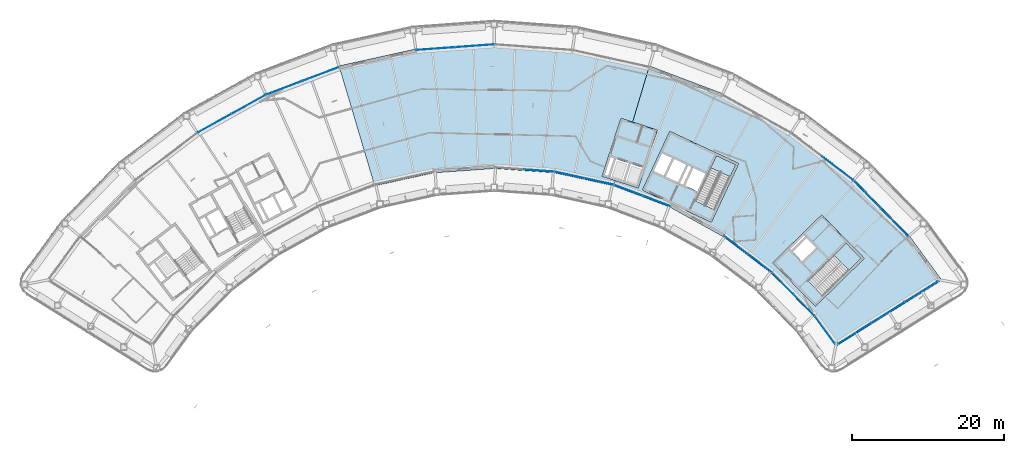
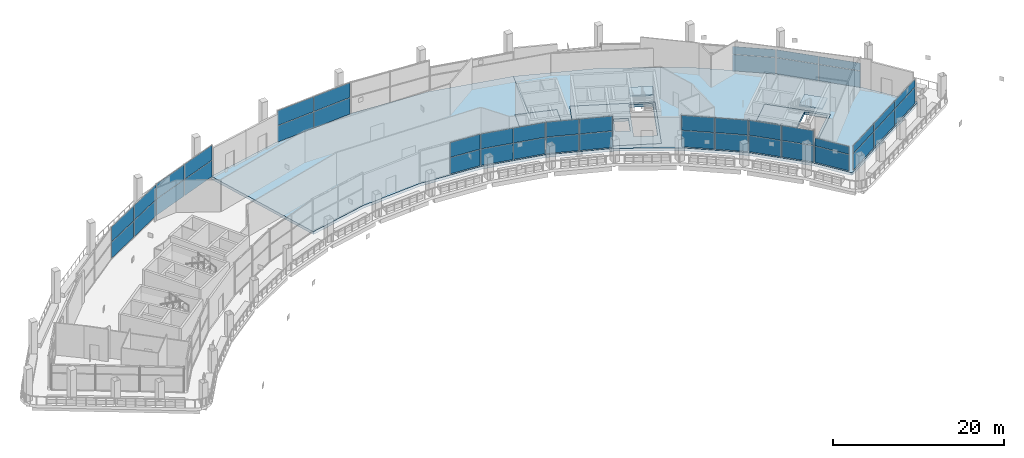
# One storey, part 14 of 29: 44 plates, 7 slabs, 14 elements without a shape of their own.
"""IFC4 building model written with IfcOpenShell, lengths in metres."""

from ifc_helpers import new_model, si_unit, direction, frame, origin, origin_2d, place, context, subcontext, project, spatial, polyline, rectangle, outline, extrude, material, layer, layer_set, type_object, element, aggregate, save


model = new_model("IFC4")

# Units and contexts
model_context = context("Model", 3, precision=1e-05, world=origin(), true_north=direction((0.0, 1.0)))
body_context = subcontext(model_context, "Body", "Model", "MODEL_VIEW")
ifc_project = project(units=[si_unit("LENGTHUNIT", "METRE"), si_unit("AREAUNIT", "SQUARE_METRE"), si_unit("VOLUMEUNIT", "CUBIC_METRE"), si_unit("PLANEANGLEUNIT", "RADIAN"), si_unit("MASSUNIT", "GRAM", prefix="KILO")], contexts=[model_context])

# Site, building, storey
site_placement = place(None, origin())
site = spatial("IfcSite", under=ifc_project, at=site_placement, CompositionType="ELEMENT")
building_placement = place(site_placement, origin())
building = spatial("IfcBuilding", under=site, at=building_placement, Name="Tuul Gate Civic Tower", CompositionType="ELEMENT")
storey_placement = place(building_placement, frame((0.0, 0.0, 238.89990234375)))
storey = spatial("IfcBuildingStorey", under=building, at=storey_placement, Name="Sky garden level 2", CompositionType="ELEMENT", Elevation=238.89990234375)

# Curtain wall, plates
ifc_material_1 = material(Name="Aluminium", Category="aluminium")
ifc_layer_1 = layer(ifc_material_1, 0.199951171875)
ifc_layer_set_1 = layer_set([ifc_layer_1], Name="Aluminium")
curtain_wall_type_1 = type_object("IfcCurtainWallType", Name="Curtain wall CW3", PredefinedType="NOTDEFINED", material=ifc_layer_set_1)
curtain_wall_1_placement = place(storey_placement, origin())
curtain_wall_1 = element("IfcCurtainWall", 1, at=curtain_wall_1_placement, inside=storey, type_object=curtain_wall_type_1, Name="Curtain wall CW3", PredefinedType="NOTDEFINED")
ifc_material_2 = material(Name="Insulated glass", Category="glass")
ifc_layer_2 = layer(ifc_material_2, 0.031982421875)
ifc_layer_set_2 = layer_set([ifc_layer_2], Name="Insulated glass")
plate_type_1 = type_object("IfcPlateType", Name="CW3 panel", PredefinedType="CURTAIN_PANEL", material=ifc_layer_set_2)
plate_1_placement = place(storey_placement, frame((3.3564453125, 15.771728515625, 0.06005859375), z_axis=(0.0, 0.0, 1.0), x_axis=(-0.997381245118, -0.072323245822, 0.0)))
plate_1 = element("IfcPlate", 2, at=plate_1_placement, type_object=plate_type_1, Name="Panel", PredefinedType="CURTAIN_PANEL", context=body_context, shape_type="SweptSolid", body=[
    extrude(rectangle(XDim=5.060546875, YDim=0.031982421875, at=origin_2d()), origin(), (0.0, 0.0, 1.0), 2.31005859375),
])
plate_2_placement = place(storey_placement, frame((3.3564453125, 15.771728515625, 2.43017578125), z_axis=(0.0, 0.0, 1.0), x_axis=(-0.997381245118, -0.072323245822, 0.0)))
plate_2 = element("IfcPlate", 3, at=plate_2_placement, type_object=plate_type_1, Name="Panel", PredefinedType="CURTAIN_PANEL", context=body_context, shape_type="SweptSolid", body=[
    extrude(rectangle(XDim=5.060546875, YDim=0.031982421875, at=origin_2d()), origin(), (0.0, 0.0, 1.0), 2.110107421875),
])
plate_3_placement = place(storey_placement, frame((-1.75048828125, 15.4013671875, 0.06005859375), z_axis=(0.0, 0.0, 1.0), x_axis=(-0.997381245118, -0.072323245822, 0.0)))
plate_3 = element("IfcPlate", 4, at=plate_3_placement, type_object=plate_type_1, Name="Panel", PredefinedType="CURTAIN_PANEL", context=body_context, shape_type="SweptSolid", body=[
    extrude(rectangle(XDim=5.060546875, YDim=0.031982421875, at=origin_2d()), origin(), (0.0, 0.0, 1.0), 2.31005859375),
])
plate_4_placement = place(storey_placement, frame((-1.75048828125, 15.4013671875, 2.43017578125), z_axis=(0.0, 0.0, 1.0), x_axis=(-0.997381245118, -0.072323245822, 0.0)))
plate_4 = element("IfcPlate", 5, at=plate_4_placement, type_object=plate_type_1, Name="Panel", PredefinedType="CURTAIN_PANEL", context=body_context, shape_type="SweptSolid", body=[
    extrude(rectangle(XDim=5.060546875, YDim=0.031982421875, at=origin_2d()), origin(), (0.0, 0.0, 1.0), 2.110107421875),
])
aggregate(curtain_wall_1, [plate_1, plate_2, plate_3, plate_4])

curtain_wall_2_placement = place(storey_placement, origin())
curtain_wall_2 = element("IfcCurtainWall", 6, at=curtain_wall_2_placement, inside=storey, type_object=curtain_wall_type_1, Name="Curtain wall CW3", PredefinedType="NOTDEFINED")
plate_5_placement = place(storey_placement, frame((-16.815673828125, 12.0810546875, 0.06005859375), z_axis=(0.0, 0.0, 1.0), x_axis=(-0.935372206722, -0.353664862395, 0.0)))
plate_5 = element("IfcPlate", 7, at=plate_5_placement, type_object=plate_type_1, Name="Panel", PredefinedType="CURTAIN_PANEL", context=body_context, shape_type="SweptSolid", body=[
    extrude(rectangle(XDim=5.060302734375, YDim=0.031982421875, at=origin_2d()), origin(), (0.0, 0.0, 1.0), 2.31005859375),
])
plate_6_placement = place(storey_placement, frame((-16.815673828125, 12.0810546875, 2.43017578125), z_axis=(0.0, 0.0, 1.0), x_axis=(-0.935372206722, -0.353664862395, 0.0)))
plate_6 = element("IfcPlate", 8, at=plate_6_placement, type_object=plate_type_1, Name="Panel", PredefinedType="CURTAIN_PANEL", context=body_context, shape_type="SweptSolid", body=[
    extrude(rectangle(XDim=5.060302734375, YDim=0.031982421875, at=origin_2d()), origin(), (0.0, 0.0, 1.0), 2.110107421875),
])
plate_7_placement = place(storey_placement, frame((-21.605224609375, 10.27001953125, 0.06005859375), z_axis=(0.0, 0.0, 1.0), x_axis=(-0.935372206722, -0.353664862395, 0.0)))
plate_7 = element("IfcPlate", 9, at=plate_7_placement, type_object=plate_type_1, Name="Panel", PredefinedType="CURTAIN_PANEL", context=body_context, shape_type="SweptSolid", body=[
    extrude(rectangle(XDim=5.060302734375, YDim=0.031982421875, at=origin_2d()), origin(), (0.0, 0.0, 1.0), 2.31005859375),
])
plate_8_placement = place(storey_placement, frame((-21.605224609375, 10.27001953125, 2.43017578125), z_axis=(0.0, 0.0, 1.0), x_axis=(-0.935372206722, -0.353664862395, 0.0)))
plate_8 = element("IfcPlate", 10, at=plate_8_placement, type_object=plate_type_1, Name="Panel", PredefinedType="CURTAIN_PANEL", context=body_context, shape_type="SweptSolid", body=[
    extrude(rectangle(XDim=5.060302734375, YDim=0.031982421875, at=origin_2d()), origin(), (0.0, 0.0, 1.0), 2.110107421875),
])
aggregate(curtain_wall_2, [plate_5, plate_6, plate_7, plate_8])

curtain_wall_3_placement = place(storey_placement, origin())
curtain_wall_3 = element("IfcCurtainWall", 11, at=curtain_wall_3_placement, inside=storey, type_object=curtain_wall_type_1, Name="Curtain wall CW3", PredefinedType="NOTDEFINED")
plate_9_placement = place(storey_placement, frame((-26.29345703125, 8.09814453125, 0.06005859375), z_axis=(0.0, 0.0, 1.0), x_axis=(-0.874610249079, -0.484826682646, 0.0)))
plate_9 = element("IfcPlate", 12, at=plate_9_placement, type_object=plate_type_1, Name="Panel", PredefinedType="CURTAIN_PANEL", context=body_context, shape_type="SweptSolid", body=[
    extrude(rectangle(XDim=5.060302734375, YDim=0.031982421875, at=origin_2d()), origin(), (0.0, 0.0, 1.0), 2.31005859375),
])
plate_10_placement = place(storey_placement, frame((-26.29345703125, 8.09814453125, 2.43017578125), z_axis=(0.0, 0.0, 1.0), x_axis=(-0.874610249079, -0.484826682646, 0.0)))
plate_10 = element("IfcPlate", 13, at=plate_10_placement, type_object=plate_type_1, Name="Panel", PredefinedType="CURTAIN_PANEL", context=body_context, shape_type="SweptSolid", body=[
    extrude(rectangle(XDim=5.060302734375, YDim=0.031982421875, at=origin_2d()), origin(), (0.0, 0.0, 1.0), 2.110107421875),
])
plate_11_placement = place(storey_placement, frame((-30.771728515625, 5.61572265625, 0.06005859375), z_axis=(0.0, 0.0, 1.0), x_axis=(-0.874610249079, -0.484826682646, 0.0)))
plate_11 = element("IfcPlate", 14, at=plate_11_placement, type_object=plate_type_1, Name="Panel", PredefinedType="CURTAIN_PANEL", context=body_context, shape_type="SweptSolid", body=[
    extrude(rectangle(XDim=5.060302734375, YDim=0.031982421875, at=origin_2d()), origin(), (0.0, 0.0, 1.0), 2.31005859375),
])
plate_12_placement = place(storey_placement, frame((-30.771728515625, 5.61572265625, 2.43017578125), z_axis=(0.0, 0.0, 1.0), x_axis=(-0.874610249079, -0.484826682646, 0.0)))
plate_12 = element("IfcPlate", 15, at=plate_12_placement, type_object=plate_type_1, Name="Panel", PredefinedType="CURTAIN_PANEL", context=body_context, shape_type="SweptSolid", body=[
    extrude(rectangle(XDim=5.060302734375, YDim=0.031982421875, at=origin_2d()), origin(), (0.0, 0.0, 1.0), 2.110107421875),
])
aggregate(curtain_wall_3, [plate_9, plate_10, plate_11, plate_12])

curtain_wall_4_placement = place(storey_placement, origin())
curtain_wall_4 = element("IfcCurtainWall", 16, at=curtain_wall_4_placement, inside=storey, type_object=curtain_wall_type_1, Name="Curtain wall CW3", PredefinedType="NOTDEFINED")
plate_13_placement = place(storey_placement, frame((11.88525390625, -0.6142578125, 0.06005859375), z_axis=(0.0, 0.0, 1.0), x_axis=(0.997392657117, -0.072165694963, 0.0)))
plate_13 = element("IfcPlate", 17, at=plate_13_placement, type_object=plate_type_1, Name="Panel", PredefinedType="CURTAIN_PANEL", context=body_context, shape_type="SweptSolid", body=[
    extrude(rectangle(XDim=3.893798828125, YDim=0.031982421875, at=origin_2d()), origin(), (0.0, 0.0, 1.0), 2.31005859375),
])
plate_14_placement = place(storey_placement, frame((11.88525390625, -0.6142578125, 2.43017578125), z_axis=(0.0, 0.0, 1.0), x_axis=(0.997392657117, -0.072165694963, 0.0)))
plate_14 = element("IfcPlate", 18, at=plate_14_placement, type_object=plate_type_1, Name="Panel", PredefinedType="CURTAIN_PANEL", context=body_context, shape_type="SweptSolid", body=[
    extrude(rectangle(XDim=3.893798828125, YDim=0.031982421875, at=origin_2d()), origin(), (0.0, 0.0, 1.0), 2.110107421875),
])
aggregate(curtain_wall_4, [plate_13, plate_14])

curtain_wall_5_placement = place(storey_placement, origin())
curtain_wall_5 = element("IfcCurtainWall", 19, at=curtain_wall_5_placement, inside=storey, type_object=curtain_wall_type_1, Name="Curtain wall CW3", PredefinedType="NOTDEFINED")
plate_15_placement = place(storey_placement, frame((15.84716796875, -1.19091796875, 0.06005859375), z_axis=(0.0, 0.0, 1.0), x_axis=(0.976566455698, -0.215216071904, 0.0)))
plate_15 = element("IfcPlate", 20, at=plate_15_placement, type_object=plate_type_1, Name="Panel", PredefinedType="CURTAIN_PANEL", context=body_context, shape_type="SweptSolid", body=[
    extrude(rectangle(XDim=3.894287109375, YDim=0.031982421875, at=origin_2d()), origin(), (0.0, 0.0, 1.0), 2.31005859375),
])
plate_16_placement = place(storey_placement, frame((15.84716796875, -1.19091796875, 2.43017578125), z_axis=(0.0, 0.0, 1.0), x_axis=(0.976566455698, -0.215216071904, 0.0)))
plate_16 = element("IfcPlate", 21, at=plate_16_placement, type_object=plate_type_1, Name="Panel", PredefinedType="CURTAIN_PANEL", context=body_context, shape_type="SweptSolid", body=[
    extrude(rectangle(XDim=3.894287109375, YDim=0.031982421875, at=origin_2d()), origin(), (0.0, 0.0, 1.0), 2.110107421875),
])
plate_17_placement = place(storey_placement, frame((19.708740234375, -2.0419921875, 0.06005859375), z_axis=(0.0, 0.0, 1.0), x_axis=(0.976566455698, -0.215216071904, 0.0)))
plate_17 = element("IfcPlate", 22, at=plate_17_placement, type_object=plate_type_1, Name="Panel", PredefinedType="CURTAIN_PANEL", context=body_context, shape_type="SweptSolid", body=[
    extrude(rectangle(XDim=3.894287109375, YDim=0.031982421875, at=origin_2d()), origin(), (0.0, 0.0, 1.0), 2.31005859375),
])
plate_18_placement = place(storey_placement, frame((19.708740234375, -2.0419921875, 2.43017578125), z_axis=(0.0, 0.0, 1.0), x_axis=(0.976566455698, -0.215216071904, 0.0)))
plate_18 = element("IfcPlate", 23, at=plate_18_placement, type_object=plate_type_1, Name="Panel", PredefinedType="CURTAIN_PANEL", context=body_context, shape_type="SweptSolid", body=[
    extrude(rectangle(XDim=3.894287109375, YDim=0.031982421875, at=origin_2d()), origin(), (0.0, 0.0, 1.0), 2.110107421875),
])
aggregate(curtain_wall_5, [plate_15, plate_16, plate_17, plate_18])

curtain_wall_6_placement = place(storey_placement, origin())
curtain_wall_6 = element("IfcCurtainWall", 24, at=curtain_wall_6_placement, inside=storey, type_object=curtain_wall_type_1, Name="Curtain wall CW3", PredefinedType="NOTDEFINED")
plate_19_placement = place(storey_placement, frame((23.54638671875, -3.18408203125, 0.06005859375), z_axis=(0.0, 0.0, 1.0), x_axis=(0.935330033956, -0.353776380754, 0.0)))
plate_19 = element("IfcPlate", 25, at=plate_19_placement, type_object=plate_type_1, Name="Panel", PredefinedType="CURTAIN_PANEL", context=body_context, shape_type="SweptSolid", body=[
    extrude(rectangle(XDim=3.89404296875, YDim=0.031982421875, at=origin_2d()), origin(), (0.0, 0.0, 1.0), 2.31005859375),
])
plate_20_placement = place(storey_placement, frame((23.54638671875, -3.18408203125, 2.43017578125), z_axis=(0.0, 0.0, 1.0), x_axis=(0.935330033956, -0.353776380754, 0.0)))
plate_20 = element("IfcPlate", 26, at=plate_20_placement, type_object=plate_type_1, Name="Panel", PredefinedType="CURTAIN_PANEL", context=body_context, shape_type="SweptSolid", body=[
    extrude(rectangle(XDim=3.89404296875, YDim=0.031982421875, at=origin_2d()), origin(), (0.0, 0.0, 1.0), 2.110107421875),
])
plate_21_placement = place(storey_placement, frame((27.24462890625, -4.5830078125, 0.06005859375), z_axis=(0.0, 0.0, 1.0), x_axis=(0.935330033956, -0.353776380754, 0.0)))
plate_21 = element("IfcPlate", 27, at=plate_21_placement, type_object=plate_type_1, Name="Panel", PredefinedType="CURTAIN_PANEL", context=body_context, shape_type="SweptSolid", body=[
    extrude(rectangle(XDim=3.89404296875, YDim=0.031982421875, at=origin_2d()), origin(), (0.0, 0.0, 1.0), 2.31005859375),
])
plate_22_placement = place(storey_placement, frame((27.24462890625, -4.5830078125, 2.43017578125), z_axis=(0.0, 0.0, 1.0), x_axis=(0.935330033956, -0.353776380754, 0.0)))
plate_22 = element("IfcPlate", 28, at=plate_22_placement, type_object=plate_type_1, Name="Panel", PredefinedType="CURTAIN_PANEL", context=body_context, shape_type="SweptSolid", body=[
    extrude(rectangle(XDim=3.89404296875, YDim=0.031982421875, at=origin_2d()), origin(), (0.0, 0.0, 1.0), 2.110107421875),
])
aggregate(curtain_wall_6, [plate_19, plate_20, plate_21, plate_22])

curtain_wall_7_placement = place(storey_placement, origin())
curtain_wall_7 = element("IfcCurtainWall", 29, at=curtain_wall_7_placement, inside=storey, type_object=curtain_wall_type_1, Name="Curtain wall CW3", PredefinedType="NOTDEFINED")
plate_23_placement = place(storey_placement, frame((37.68798828125, -10.371826171875, 0.06005859375), z_axis=(0.0, 0.0, 1.0), x_axis=(0.795641971763, -0.605767160524, 0.0)))
plate_23 = element("IfcPlate", 30, at=plate_23_placement, type_object=plate_type_1, Name="Panel", PredefinedType="CURTAIN_PANEL", context=body_context, shape_type="SweptSolid", body=[
    extrude(rectangle(XDim=3.894287109375, YDim=0.031982421875, at=origin_2d()), origin(), (0.0, 0.0, 1.0), 2.31005859375),
])
plate_24_placement = place(storey_placement, frame((37.68798828125, -10.371826171875, 2.43017578125), z_axis=(0.0, 0.0, 1.0), x_axis=(0.795641971763, -0.605767160524, 0.0)))
plate_24 = element("IfcPlate", 31, at=plate_24_placement, type_object=plate_type_1, Name="Panel", PredefinedType="CURTAIN_PANEL", context=body_context, shape_type="SweptSolid", body=[
    extrude(rectangle(XDim=3.894287109375, YDim=0.031982421875, at=origin_2d()), origin(), (0.0, 0.0, 1.0), 2.110107421875),
])
plate_25_placement = place(storey_placement, frame((40.833984375, -12.76708984375, 0.06005859375), z_axis=(0.0, 0.0, 1.0), x_axis=(0.795641971763, -0.605767160524, 0.0)))
plate_25 = element("IfcPlate", 32, at=plate_25_placement, type_object=plate_type_1, Name="Panel", PredefinedType="CURTAIN_PANEL", context=body_context, shape_type="SweptSolid", body=[
    extrude(rectangle(XDim=3.894287109375, YDim=0.031982421875, at=origin_2d()), origin(), (0.0, 0.0, 1.0), 2.31005859375),
])
plate_26_placement = place(storey_placement, frame((40.833984375, -12.76708984375, 2.43017578125), z_axis=(0.0, 0.0, 1.0), x_axis=(0.795641971763, -0.605767160524, 0.0)))
plate_26 = element("IfcPlate", 33, at=plate_26_placement, type_object=plate_type_1, Name="Panel", PredefinedType="CURTAIN_PANEL", context=body_context, shape_type="SweptSolid", body=[
    extrude(rectangle(XDim=3.894287109375, YDim=0.031982421875, at=origin_2d()), origin(), (0.0, 0.0, 1.0), 2.110107421875),
])
aggregate(curtain_wall_7, [plate_23, plate_24, plate_25, plate_26])

curtain_wall_8_placement = place(storey_placement, origin())
curtain_wall_8 = element("IfcCurtainWall", 34, at=curtain_wall_8_placement, inside=storey, type_object=curtain_wall_type_1, Name="Curtain wall CW3", PredefinedType="NOTDEFINED")
plate_27_placement = place(storey_placement, frame((43.8359375, -15.416259765625, 0.06005859375), z_axis=(0.0, 0.0, 1.0), x_axis=(0.700043805627, -0.714099902117, 0.0)))
plate_27 = element("IfcPlate", 35, at=plate_27_placement, type_object=plate_type_1, Name="Panel", PredefinedType="CURTAIN_PANEL", context=body_context, shape_type="SweptSolid", body=[
    extrude(rectangle(XDim=3.89404296875, YDim=0.031982421875, at=origin_2d()), origin(), (0.0, 0.0, 1.0), 2.31005859375),
])
plate_28_placement = place(storey_placement, frame((43.8359375, -15.416259765625, 2.43017578125), z_axis=(0.0, 0.0, 1.0), x_axis=(0.700043805627, -0.714099902117, 0.0)))
plate_28 = element("IfcPlate", 36, at=plate_28_placement, type_object=plate_type_1, Name="Panel", PredefinedType="CURTAIN_PANEL", context=body_context, shape_type="SweptSolid", body=[
    extrude(rectangle(XDim=3.89404296875, YDim=0.031982421875, at=origin_2d()), origin(), (0.0, 0.0, 1.0), 2.110107421875),
])
plate_29_placement = place(storey_placement, frame((46.60400390625, -18.23974609375, 0.06005859375), z_axis=(0.0, 0.0, 1.0), x_axis=(0.700043805627, -0.714099902117, 0.0)))
plate_29 = element("IfcPlate", 37, at=plate_29_placement, type_object=plate_type_1, Name="Panel", PredefinedType="CURTAIN_PANEL", context=body_context, shape_type="SweptSolid", body=[
    extrude(rectangle(XDim=3.89404296875, YDim=0.031982421875, at=origin_2d()), origin(), (0.0, 0.0, 1.0), 2.31005859375),
])
plate_30_placement = place(storey_placement, frame((46.60400390625, -18.23974609375, 2.43017578125), z_axis=(0.0, 0.0, 1.0), x_axis=(0.700043805627, -0.714099902117, 0.0)))
plate_30 = element("IfcPlate", 38, at=plate_30_placement, type_object=plate_type_1, Name="Panel", PredefinedType="CURTAIN_PANEL", context=body_context, shape_type="SweptSolid", body=[
    extrude(rectangle(XDim=3.89404296875, YDim=0.031982421875, at=origin_2d()), origin(), (0.0, 0.0, 1.0), 2.110107421875),
])
aggregate(curtain_wall_8, [plate_27, plate_28, plate_29, plate_30])

ifc_material_3 = material(Name="Aluminium", Category="aluminium")
ifc_layer_3 = layer(ifc_material_3, 0.199951171875)
ifc_layer_set_3 = layer_set([ifc_layer_3], Name="Aluminium")
curtain_wall_type_2 = type_object("IfcCurtainWallType", Name="Curtain wall CW3B", PredefinedType="NOTDEFINED", material=ifc_layer_set_3)
curtain_wall_9_placement = place(storey_placement, origin())
curtain_wall_9 = element("IfcCurtainWall", 39, at=curtain_wall_9_placement, inside=storey, type_object=curtain_wall_type_2, Name="Curtain wall CW3B", PredefinedType="NOTDEFINED")
ifc_material_4 = material(Name="Insulated glass", Category="glass")
ifc_layer_4 = layer(ifc_material_4, 0.031982421875)
ifc_layer_set_4 = layer_set([ifc_layer_4], Name="Insulated glass")
plate_type_2 = type_object("IfcPlateType", Name="CW3B panel", PredefinedType="CURTAIN_PANEL", material=ifc_layer_set_4)
plate_31_placement = place(storey_placement, frame((58.509765625, -7.38623046875, 0.06005859375), z_axis=(0.0, 0.0, 1.0), x_axis=(-0.700033556719, 0.714109949145, 0.0)))
plate_31 = element("IfcPlate", 40, at=plate_31_placement, type_object=plate_type_2, Name="Panel", PredefinedType="CURTAIN_PANEL", context=body_context, shape_type="SweptSolid", body=[
    extrude(rectangle(XDim=5.060546875, YDim=0.031982421875, at=origin_2d()), origin(), (0.0, 0.0, 1.0), 2.31005859375),
])
plate_32_placement = place(storey_placement, frame((58.509765625, -7.38623046875, 2.43017578125), z_axis=(0.0, 0.0, 1.0), x_axis=(-0.700033556719, 0.714109949145, 0.0)))
plate_32 = element("IfcPlate", 41, at=plate_32_placement, type_object=plate_type_2, Name="Panel", PredefinedType="CURTAIN_PANEL", context=body_context, shape_type="SweptSolid", body=[
    extrude(rectangle(XDim=5.060546875, YDim=0.031982421875, at=origin_2d()), origin(), (0.0, 0.0, 1.0), 1.10498046875),
])
plate_33_placement = place(storey_placement, frame((54.92529296875, -3.729736328125, 0.06005859375), z_axis=(0.0, 0.0, 1.0), x_axis=(-0.700033556719, 0.714109949145, 0.0)))
plate_33 = element("IfcPlate", 42, at=plate_33_placement, type_object=plate_type_2, Name="Panel", PredefinedType="CURTAIN_PANEL", context=body_context, shape_type="SweptSolid", body=[
    extrude(rectangle(XDim=5.060546875, YDim=0.031982421875, at=origin_2d()), origin(), (0.0, 0.0, 1.0), 2.31005859375),
])
plate_34_placement = place(storey_placement, frame((54.92529296875, -3.729736328125, 2.43017578125), z_axis=(0.0, 0.0, 1.0), x_axis=(-0.700033556719, 0.714109949145, 0.0)))
plate_34 = element("IfcPlate", 43, at=plate_34_placement, type_object=plate_type_2, Name="Panel", PredefinedType="CURTAIN_PANEL", context=body_context, shape_type="SweptSolid", body=[
    extrude(rectangle(XDim=5.060546875, YDim=0.031982421875, at=origin_2d()), origin(), (0.0, 0.0, 1.0), 1.10498046875),
])
aggregate(curtain_wall_9, [plate_31, plate_32, plate_33, plate_34])

curtain_wall_10_placement = place(storey_placement, origin())
curtain_wall_10 = element("IfcCurtainWall", 44, at=curtain_wall_10_placement, inside=storey, type_object=curtain_wall_type_2, Name="Curtain wall CW3B", PredefinedType="NOTDEFINED")
plate_35_placement = place(storey_placement, frame((51.05126953125, -0.310791015625, 0.06005859375), z_axis=(0.0, 0.0, 1.0), x_axis=(-0.79560997621, 0.605809182627, 0.0)))
plate_35 = element("IfcPlate", 45, at=plate_35_placement, type_object=plate_type_2, Name="Panel", PredefinedType="CURTAIN_PANEL", context=body_context, shape_type="SweptSolid", body=[
    extrude(rectangle(XDim=5.06005859375, YDim=0.031982421875, at=origin_2d()), origin(), (0.0, 0.0, 1.0), 2.31005859375),
])
plate_36_placement = place(storey_placement, frame((51.05126953125, -0.310791015625, 2.43017578125), z_axis=(0.0, 0.0, 1.0), x_axis=(-0.79560997621, 0.605809182627, 0.0)))
plate_36 = element("IfcPlate", 46, at=plate_36_placement, type_object=plate_type_2, Name="Panel", PredefinedType="CURTAIN_PANEL", context=body_context, shape_type="SweptSolid", body=[
    extrude(rectangle(XDim=5.06005859375, YDim=0.031982421875, at=origin_2d()), origin(), (0.0, 0.0, 1.0), 1.10498046875),
])
aggregate(curtain_wall_10, [plate_35, plate_36])

curtain_wall_11_placement = place(storey_placement, origin())
curtain_wall_11 = element("IfcCurtainWall", 47, at=curtain_wall_11_placement, inside=storey, type_object=curtain_wall_type_2, Name="Curtain wall CW3B", PredefinedType="NOTDEFINED")
plate_37_placement = place(storey_placement, frame((49.33056640625, -21.482421875, 0.06005859375), z_axis=(0.0, 0.0, 1.0), x_axis=(0.589775986774, -0.807566892229, 0.0)))
plate_37 = element("IfcPlate", 48, at=plate_37_placement, type_object=plate_type_2, Name="Panel", PredefinedType="CURTAIN_PANEL", context=body_context, shape_type="SweptSolid", body=[
    extrude(rectangle(XDim=4.361328125, YDim=0.031982421875, at=origin_2d()), origin(), (0.0, 0.0, 1.0), 2.31005859375),
])
plate_38_placement = place(storey_placement, frame((49.33056640625, -21.482421875, 2.43017578125), z_axis=(0.0, 0.0, 1.0), x_axis=(0.589775986774, -0.807566892229, 0.0)))
plate_38 = element("IfcPlate", 49, at=plate_38_placement, type_object=plate_type_2, Name="Panel", PredefinedType="CURTAIN_PANEL", context=body_context, shape_type="SweptSolid", body=[
    extrude(rectangle(XDim=4.361328125, YDim=0.031982421875, at=origin_2d()), origin(), (0.0, 0.0, 1.0), 1.10498046875),
])
aggregate(curtain_wall_11, [plate_37, plate_38])

curtain_wall_12_placement = place(storey_placement, origin())
curtain_wall_12 = element("IfcCurtainWall", 50, at=curtain_wall_12_placement, inside=storey, type_object=curtain_wall_type_2, Name="Curtain wall CW3B", PredefinedType="NOTDEFINED")
plate_39_placement = place(storey_placement, frame((53.262451171875, -21.989501953125, 0.06005859375), z_axis=(0.0, 0.0, 1.0), x_axis=(0.848041678512, 0.529929534473, 0.0)))
plate_39 = element("IfcPlate", 51, at=plate_39_placement, type_object=plate_type_2, Name="Panel", PredefinedType="CURTAIN_PANEL", context=body_context, shape_type="SweptSolid", body=[
    extrude(rectangle(XDim=5.090576171875, YDim=0.031982421875, at=origin_2d()), origin(), (0.0, 0.0, 1.0), 2.31005859375),
])
plate_40_placement = place(storey_placement, frame((53.262451171875, -21.989501953125, 2.43017578125), z_axis=(0.0, 0.0, 1.0), x_axis=(0.848041678512, 0.529929534473, 0.0)))
plate_40 = element("IfcPlate", 52, at=plate_40_placement, type_object=plate_type_2, Name="Panel", PredefinedType="CURTAIN_PANEL", context=body_context, shape_type="SweptSolid", body=[
    extrude(rectangle(XDim=5.090576171875, YDim=0.031982421875, at=origin_2d()), origin(), (0.0, 0.0, 1.0), 1.10498046875),
])
plate_41_placement = place(storey_placement, frame((57.64306640625, -19.251953125, 0.06005859375), z_axis=(0.0, 0.0, 1.0), x_axis=(0.848041678512, 0.529929534473, 0.0)))
plate_41 = element("IfcPlate", 53, at=plate_41_placement, type_object=plate_type_2, Name="Panel", PredefinedType="CURTAIN_PANEL", context=body_context, shape_type="SweptSolid", body=[
    extrude(rectangle(XDim=5.12060546875, YDim=0.031982421875, at=origin_2d()), origin(), (0.0, 0.0, 1.0), 2.31005859375),
])
plate_42_placement = place(storey_placement, frame((57.64306640625, -19.251953125, 2.43017578125), z_axis=(0.0, 0.0, 1.0), x_axis=(0.848041678512, 0.529929534473, 0.0)))
plate_42 = element("IfcPlate", 54, at=plate_42_placement, type_object=plate_type_2, Name="Panel", PredefinedType="CURTAIN_PANEL", context=body_context, shape_type="SweptSolid", body=[
    extrude(rectangle(XDim=5.12060546875, YDim=0.031982421875, at=origin_2d()), origin(), (0.0, 0.0, 1.0), 1.10498046875),
])
plate_43_placement = place(storey_placement, frame((62.023681640625, -16.5146484375, 0.06005859375), z_axis=(0.0, 0.0, 1.0), x_axis=(0.848041678512, 0.529929534473, 0.0)))
plate_43 = element("IfcPlate", 55, at=plate_43_placement, type_object=plate_type_2, Name="Panel", PredefinedType="CURTAIN_PANEL", context=body_context, shape_type="SweptSolid", body=[
    extrude(rectangle(XDim=5.090576171875, YDim=0.031982421875, at=origin_2d()), origin(), (0.0, 0.0, 1.0), 2.31005859375),
])
plate_44_placement = place(storey_placement, frame((62.023681640625, -16.5146484375, 2.43017578125), z_axis=(0.0, 0.0, 1.0), x_axis=(0.848041678512, 0.529929534473, 0.0)))
plate_44 = element("IfcPlate", 56, at=plate_44_placement, type_object=plate_type_2, Name="Panel", PredefinedType="CURTAIN_PANEL", context=body_context, shape_type="SweptSolid", body=[
    extrude(rectangle(XDim=5.090576171875, YDim=0.031982421875, at=origin_2d()), origin(), (0.0, 0.0, 1.0), 1.10498046875),
])
aggregate(curtain_wall_12, [plate_39, plate_40, plate_41, plate_42, plate_43, plate_44])

# Slabs
ifc_material_5 = material(Name="Concrete C40/50", Category="concrete")
ifc_layer_5 = layer(ifc_material_5, 0.39990234375)
ifc_layer_set_5 = layer_set([ifc_layer_5], Name="Concrete C40/50")
slab_type_1 = type_object("IfcSlabType", Name="Core floor slab 400", PredefinedType="FLOOR", material=ifc_layer_set_5)
slab_1_placement = place(storey_placement, frame((0.0, 0.0, -0.400146484375)))
element("IfcSlab", 57, at=slab_1_placement, inside=storey, type_object=slab_type_1, Name="FLOOR SLAB", PredefinedType="FLOOR", context=body_context, shape_type="SweptSolid", body=[
    extrude(outline(polyline([(48.117919921875, -18.43310546875), (54.545166015625, -12.1328125), (48.945068359375, -6.419921875), (42.517822265625, -12.719970703125), (48.117919921875, -18.43310546875)]), holes=[polyline([(46.373779296875, -12.510986328125), (48.19482421875, -10.725830078125), (46.969970703125, -9.47607421875), (45.14892578125, -11.26123046875), (46.373779296875, -12.510986328125)]), polyline([(44.93896484375, -11.046875), (46.760009765625, -9.261962890625), (46.514892578125, -9.011962890625), (44.69384765625, -10.797119140625), (44.93896484375, -11.046875)]), polyline([(49.086181640625, -17.062744140625), (47.12744140625, -15.064208984375), (52.160888671875, -10.130126953125), (54.11962890625, -12.128662109375), (49.086181640625, -17.062744140625)])]), origin(), (0.0, 0.0, 1.0), 0.400146484375),
])
slab_2_placement = place(storey_placement, frame((0.0, 0.0, -0.400146484375)))
element("IfcSlab", 58, at=slab_2_placement, inside=storey, type_object=slab_type_1, Name="FLOOR SLAB", PredefinedType="FLOOR", context=body_context, shape_type="SweptSolid", body=[
    extrude(outline(polyline([(34.465087890625, -7.385986328125), (38.056884765625, 0.31787109375), (28.993896484375, 4.543701171875), (25.40185546875, -3.159912109375), (34.465087890625, -7.385986328125)]), holes=[polyline([(32.60888671875, -3.32080078125), (33.6865234375, -1.009765625), (32.1005859375, -0.27001953125), (31.02294921875, -2.581298828125), (32.60888671875, -3.32080078125)]), polyline([(30.0712890625, -2.137451171875), (31.14892578125, 0.173583984375), (29.562744140625, 0.9130859375), (28.4853515625, -1.39794921875), (30.0712890625, -2.137451171875)]), polyline([(30.751220703125, -2.454345703125), (31.82861328125, -0.143310546875), (31.4208984375, 0.046875), (30.34326171875, -2.264404296875), (30.751220703125, -2.454345703125)]), polyline([(28.21337890625, -1.27099609375), (29.291015625, 1.0400390625), (27.8408203125, 1.71630859375), (26.76318359375, -0.594970703125), (28.21337890625, -1.27099609375)]), polyline([(34.889892578125, -5.7626953125), (32.353759765625, -4.580078125), (35.120849609375, 1.354736328125), (37.6572265625, 0.17236328125), (34.889892578125, -5.7626953125)])]), origin(), (0.0, 0.0, 1.0), 0.400146484375),
])
ifc_material_6 = material(Name="Concrete C40/50", Category="concrete")
ifc_layer_6 = layer(ifc_material_6, 0.39990234375)
ifc_layer_set_6 = layer_set([ifc_layer_6], Name="Concrete C40/50")
slab_type_2 = type_object("IfcSlabType", Name="Core floor slab 400 non-bearing", PredefinedType="FLOOR", material=ifc_layer_set_6)
slab_3_placement = place(storey_placement, frame((0.0, 0.0, -0.400146484375)))
element("IfcSlab", 59, at=slab_3_placement, inside=storey, type_object=slab_type_2, Name="FLOOR SLAB", PredefinedType="FLOOR", context=body_context, shape_type="SweptSolid", body=[
    extrude(outline(polyline([(24.864990234375, -2.888916015625), (27.337890625, 4.71923828125), (22.58251953125, 6.264404296875), (20.109619140625, -1.343994140625), (24.864990234375, -2.888916015625)]), holes=[polyline([(24.67236328125, -2.510986328125), (25.414306640625, -0.228515625), (23.892578125, 0.265869140625), (23.150634765625, -2.0166015625), (24.67236328125, -2.510986328125)]), polyline([(22.865478515625, -1.923828125), (23.607177734375, 0.358642578125), (21.94287109375, 0.8994140625), (21.201171875, -1.383056640625), (22.865478515625, -1.923828125)]), polyline([(20.869384765625, -1.43310546875), (21.65771484375, 0.9921875), (21.0869140625, 1.177490234375), (20.298583984375, -1.24755859375), (20.869384765625, -1.43310546875)])]), origin(), (0.0, 0.0, 1.0), 0.400146484375),
])

# Stair, slab
ifc_material_7 = material(Name="Concrete C40/50", Category="concrete")
stair_type = type_object("IfcStairType", Name="Exit stair", PredefinedType="HALF_TURN_STAIR", material=ifc_material_7)
stair_1_placement = place(storey_placement, origin())
stair_1 = element("IfcStair", 60, at=stair_1_placement, inside=storey, type_object=stair_type, Name="Sky garden level 2 ST-3", PredefinedType="HALF_TURN_STAIR")
ifc_material_8 = material(Name="Concrete C40/50", Category="concrete")
ifc_layer_7 = layer(ifc_material_8, 0.199951171875)
ifc_layer_set_7 = layer_set([ifc_layer_7], Name="Concrete C40/50")
slab_type_3 = type_object("IfcSlabType", Name="Exit stair landing", PredefinedType="LANDING", material=ifc_layer_set_7)
slab_4_placement = place(storey_placement, frame((0.0, 0.0, 2.300048828125)))
slab_4 = element("IfcSlab", 61, at=slab_4_placement, type_object=slab_type_3, Name="ST-3 landing 1", PredefinedType="LANDING", context=body_context, shape_type="SweptSolid", body=[
    extrude(outline(polyline([(52.51416015625, -13.704833984375), (50.552978515625, -11.7041015625), (52.160888671875, -10.1279296875), (54.1220703125, -12.128662109375), (52.51416015625, -13.704833984375)])), origin(), (0.0, 0.0, 1.0), 0.199951171875),
])
aggregate(stair_1, [slab_4])

stair_2_placement = place(storey_placement, origin())
stair_2 = element("IfcStair", 62, at=stair_2_placement, inside=storey, type_object=stair_type, Name="Sky garden level 2 ST-4", PredefinedType="HALF_TURN_STAIR")
slab_5_placement = place(storey_placement, frame((0.0, 0.0, 2.300048828125)))
slab_5 = element("IfcSlab", 63, at=slab_5_placement, type_object=slab_type_3, Name="ST-4 landing 1", PredefinedType="LANDING", context=body_context, shape_type="SweptSolid", body=[
    extrude(outline(polyline([(36.919189453125, -1.41455078125), (34.3798828125, -0.23046875), (35.1201171875, 1.35693359375), (37.659423828125, 0.173095703125), (36.919189453125, -1.41455078125)])), origin(), (0.0, 0.0, 1.0), 0.199951171875),
])
aggregate(stair_2, [slab_5])

# Slabs
ifc_material_9 = material(Name="Concrete C35/45", Category="concrete")
ifc_layer_8 = layer(ifc_material_9, 0.39990234375)
ifc_layer_set_8 = layer_set([ifc_layer_8], Name="Concrete C35/45")
slab_type_4 = type_object("IfcSlabType", Name="STR-FLOOR-SLAB-400", PredefinedType="FLOOR", material=ifc_layer_set_8)
slab_6_placement = place(storey_placement, frame((0.0, 0.0, -0.400146484375)))
element("IfcSlab", 64, at=slab_6_placement, inside=storey, type_object=slab_type_4, Name="Sky garden level 2/slab/M", PredefinedType="FLOOR", context=body_context, shape_type="SweptSolid", body=[
    extrude(outline(polyline([(21.6259765625, -2.617919921875), (21.837890625, -1.906005859375), (20.110107421875, -1.343994140625), (22.58203125, 6.264892578125), (24.12109375, 5.764892578125), (26.31591796875, 13.14208984375), (16.235107421875, 15.363037109375), (5.93994140625, 16.10888671875), (-4.35595703125, 15.363037109375), (-14.43603515625, 13.14208984375), (-9.7470703125, -2.617919921875), (-1.986083984375, -0.907958984375), (5.93994140625, -0.333984375), (13.865966796875, -0.907958984375), (21.6259765625, -2.617919921875)])), origin(), (0.0, 0.0, 1.0), 0.400146484375),
])
slab_7_placement = place(storey_placement, frame((0.0, 0.0, -0.400146484375)))
element("IfcSlab", 65, at=slab_7_placement, inside=storey, type_object=slab_type_4, Name="Sky garden level 2/slab/E", PredefinedType="FLOOR", context=body_context, shape_type="SweptSolid", body=[
    extrude(outline(polyline([(50.909912109375, -23.611083984375), (51.014892578125, -23.571044921875), (64.448974609375, -15.176025390625), (64.537109375, -15.091064453125), (64.583984375, -14.97802734375), (64.5830078125, -14.85595703125), (64.531982421875, -14.7451171875), (60.43798828125, -9.138916015625), (53.2119140625, -1.76708984375), (44.9990234375, 4.486083984375), (35.970947265625, 9.489990234375), (26.31591796875, 13.14208984375), (24.12109375, 5.764892578125), (27.337890625, 4.719970703125), (24.864990234375, -2.888916015625), (21.837890625, -1.906005859375), (21.6259765625, -2.617919921875), (29.05908203125, -5.428955078125), (36.009033203125, -9.281982421875), (42.33203125, -14.095947265625), (47.89501953125, -19.77099609375), (50.613037109375, -23.492919921875), (50.695068359375, -23.570068359375), (50.799072265625, -23.611083984375), (50.909912109375, -23.611083984375)]), holes=[polyline([(42.51806640625, -12.719970703125), (48.945068359375, -6.419921875), (54.544921875, -12.133056640625), (48.117919921875, -18.43310546875), (42.51806640625, -12.719970703125)]), polyline([(25.402099609375, -3.159912109375), (28.993896484375, 4.5439453125), (38.056884765625, 0.318115234375), (34.465087890625, -7.385986328125), (25.402099609375, -3.159912109375)])]), origin(), (0.0, 0.0, 1.0), 0.400146484375),
])

save(model, "model.ifc")
